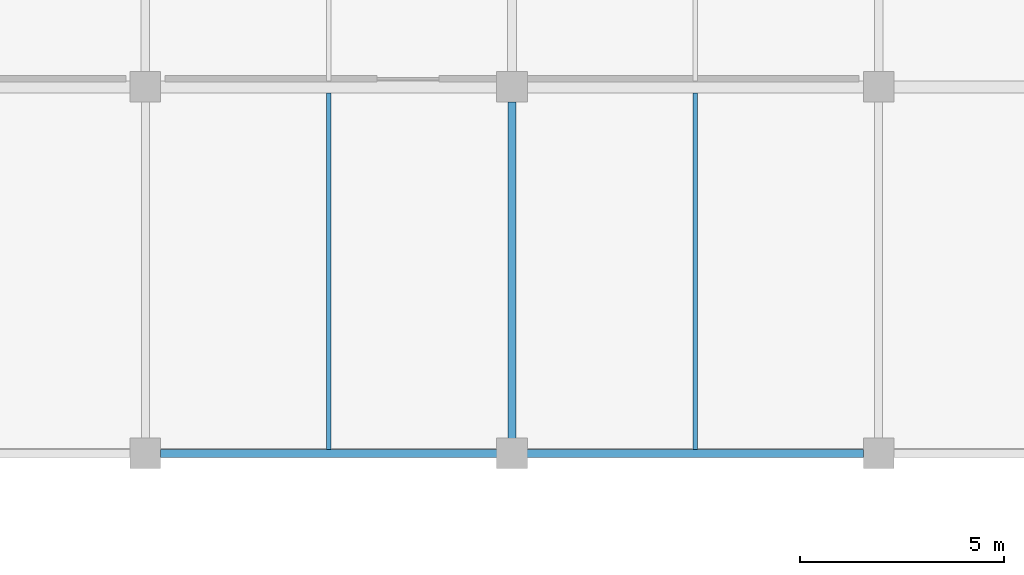
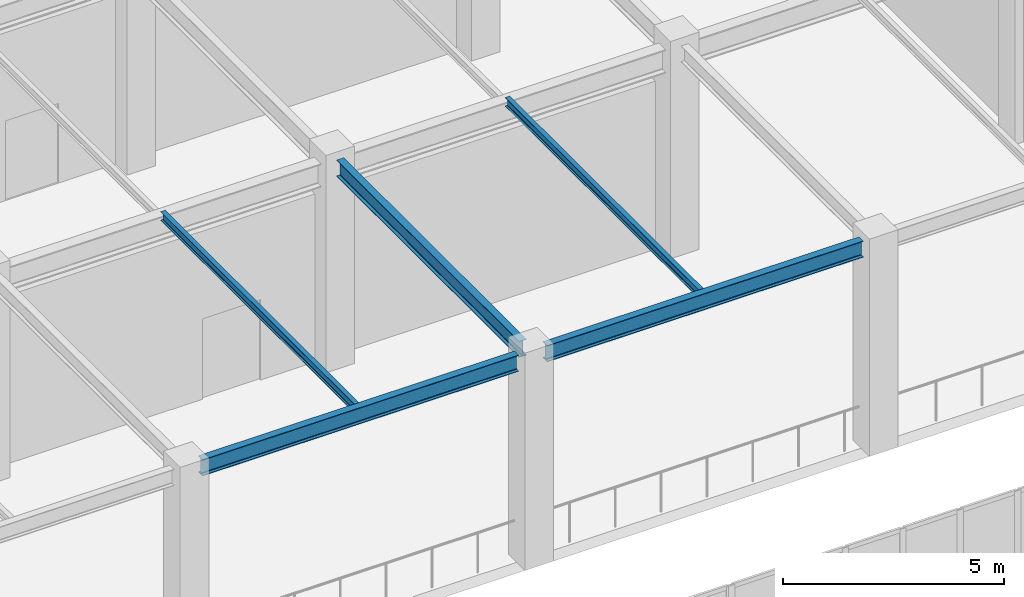
# One storey, part 45 of 223: 5 beams.
"""IFC4 building model written with IfcOpenShell, lengths in metres."""

from ifc_helpers import new_model, si_unit, direction, frame, origin, origin_2d, place, context, subcontext, project, spatial, i_section, extrude, material, material_profile, profile_set, type_object, element, save


model = new_model("IFC4")

# Units and contexts
model_context = context("Model", 3, precision=1e-05, world=origin(), true_north=direction((0.0, 1.0)))
body_context = subcontext(model_context, "Body", "Model", "MODEL_VIEW")
ifc_project = project(units=[si_unit("LENGTHUNIT", "METRE"), si_unit("AREAUNIT", "SQUARE_METRE"), si_unit("VOLUMEUNIT", "CUBIC_METRE"), si_unit("PLANEANGLEUNIT", "RADIAN"), si_unit("MASSUNIT", "GRAM", prefix="KILO")], contexts=[model_context])

# Site, building, storey
site_placement = place(None, origin())
site = spatial("IfcSite", under=ifc_project, at=site_placement, CompositionType="ELEMENT")
building_placement = place(site_placement, origin())
building = spatial("IfcBuilding", under=site, at=building_placement, Name="Dornveld Trade and Exhibition Forum", CompositionType="ELEMENT")
storey_placement = place(building_placement, frame((0.0, 0.0, 6.0)))
storey = spatial("IfcBuildingStorey", under=building, at=storey_placement, Name="L01", CompositionType="ELEMENT", Elevation=6.0)

# Beams
ifc_material_1 = material(Name="Steel S355J2", Category="steel")
ifc_material_profile_1 = material_profile(ifc_material_1, i_section(OverallWidth=0.1201171875, OverallDepth=0.239990234375, WebThickness=0.006103515625, FlangeThickness=0.009765625, FilletRadius=0.014892578125, at=origin_2d()), Name="IPE 240")
ifc_profile_set_1 = profile_set([ifc_material_profile_1], Name="Steel S355J2")
beam_type_1 = type_object("IfcBeamType", Name="BM-JOIST-240", PredefinedType="JOIST", material=ifc_profile_set_1)
for number, where, z_axis, x_axis, name in (
    (1, (130.5, 27.092041015625, 5.659912109375), (0.0, 1.0, 0.0), (-1.0, 0.0, 0.0), "L01 secondary joist 1733"),
    (2, (139.5, 27.092041015625, 5.659912109375), (0.0, 1.0, 0.0), (-1.0, 0.0, 0.0), "L01 secondary joist 1734"),
):
    element("IfcBeam", number, at=place(storey_placement, frame(where, z_axis=z_axis, x_axis=x_axis)), inside=storey, type_object=beam_type_1, Name=name, PredefinedType="JOIST", context=body_context, shape_type="SweptSolid", body=[
        extrude(i_section(OverallWidth=0.1201171875, OverallDepth=0.239990234375, WebThickness=0.006103515625, FlangeThickness=0.009765625, FilletRadius=0.014892578125, at=origin_2d()), origin(), (0.0, 0.0, 1.0), 8.760986328125),
    ])
ifc_material_2 = material(Name="Steel S355J2", Category="steel")
ifc_material_profile_2 = material_profile(ifc_material_2, i_section(OverallWidth=0.18994140625, OverallDepth=0.449951171875, WebThickness=0.009521484375, FlangeThickness=0.0146484375, FilletRadius=0.02099609375, at=origin_2d()), Name="IPE 450")
ifc_profile_set_2 = profile_set([ifc_material_profile_2], Name="Steel S355J2")
beam_type_2 = type_object("IfcBeamType", Name="BM-SEC-450", PredefinedType="BEAM", material=ifc_profile_set_2)
for number, where, z_axis, x_axis, name in (
    (3, (126.37109375, 27.0, 5.554931640625), (1.0, 0.0, 0.0), (0.0, 1.0, 0.0), "L01 X-girder 1711"),
    (4, (135.37109375, 27.0, 5.554931640625), (1.0, 0.0, 0.0), (0.0, 1.0, 0.0), "L01 X-girder 1712"),
    (5, (135.0, 27.37109375, 5.554931640625), (0.0, 1.0, 0.0), (-1.0, 0.0, 0.0), "L01 Y-girder 1726"),
):
    element("IfcBeam", number, at=place(storey_placement, frame(where, z_axis=z_axis, x_axis=x_axis)), inside=storey, type_object=beam_type_2, Name=name, PredefinedType="BEAM", context=body_context, shape_type="SweptSolid", body=[
        extrude(i_section(OverallWidth=0.18994140625, OverallDepth=0.449951171875, WebThickness=0.009521484375, FlangeThickness=0.0146484375, FilletRadius=0.02099609375, at=origin_2d()), origin(), (0.0, 0.0, 1.0), 8.2578125),
    ])

save(model, "model.ifc")
